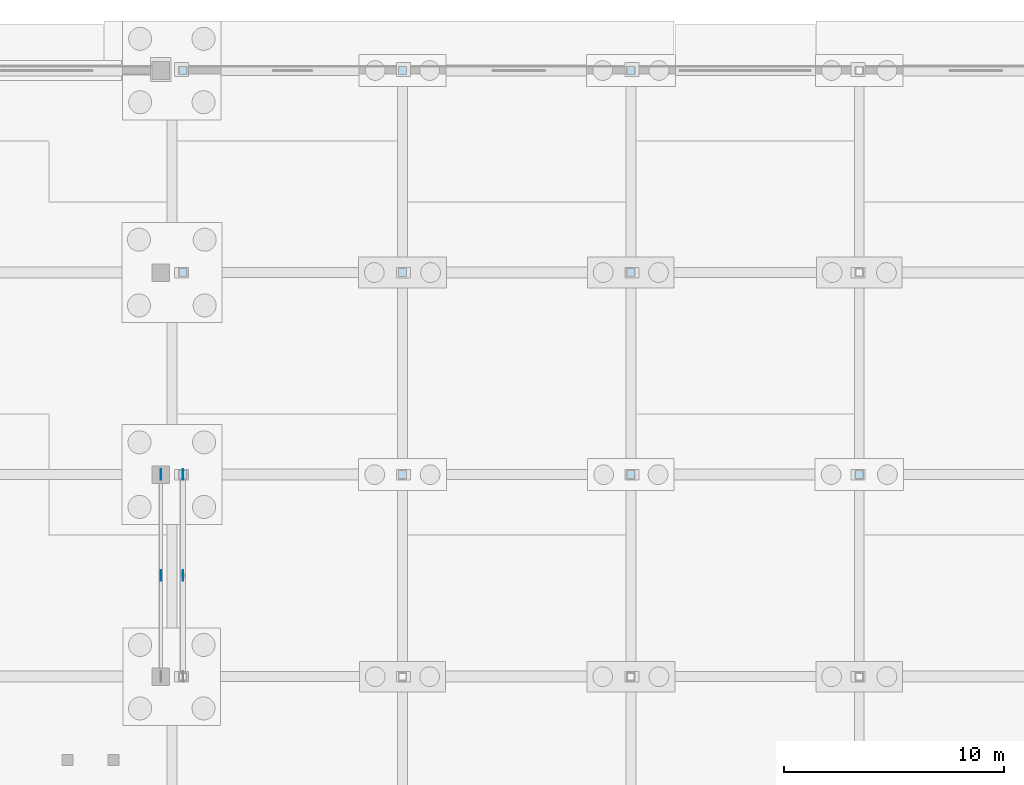
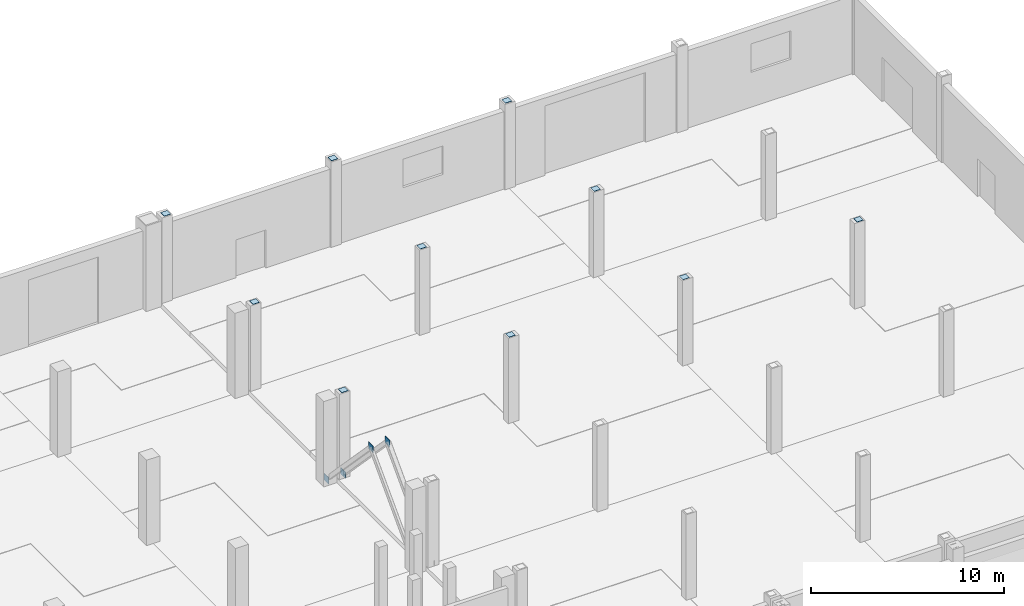
# One storey, part 49 of 83: 14 plates.
"""IFC4 building model written with IfcOpenShell, lengths in metres."""

from ifc_helpers import new_model, si_unit, direction, frame, origin, origin_2d, place, context, subcontext, project, spatial, rectangle, extrude, material, layer, layer_set, type_object, element, save


model = new_model("IFC4")

# Units and contexts
model_context = context("Model", 3, precision=1e-05, world=origin(), true_north=direction((0.0, 1.0)))
body_context = subcontext(model_context, "Body", "Model", "MODEL_VIEW")
ifc_project = project(units=[si_unit("LENGTHUNIT", "METRE"), si_unit("AREAUNIT", "SQUARE_METRE"), si_unit("VOLUMEUNIT", "CUBIC_METRE"), si_unit("PLANEANGLEUNIT", "RADIAN"), si_unit("MASSUNIT", "GRAM", prefix="KILO")], contexts=[model_context])

# Site, building, storey
site_placement = place(None, origin())
site = spatial("IfcSite", under=ifc_project, at=site_placement, CompositionType="ELEMENT")
building_placement = place(site_placement, origin())
building = spatial("IfcBuilding", under=site, at=building_placement, Name="Caurita Quay Ferry Terminal", CompositionType="ELEMENT")
storey_placement = place(building_placement, origin())
storey = spatial("IfcBuildingStorey", under=building, at=storey_placement, Name="L00", CompositionType="ELEMENT", Elevation=0.0)

# Plates
ifc_material = material(Name="Structural plate steel ASTM A572 Gr. 50", Category="steel")
ifc_layer_1 = layer(ifc_material, 0.01806640625, Name="Structural steel connection plate 18 mm")
ifc_layer_set_1 = layer_set([ifc_layer_1], Name="Structural plate steel ASTM A572 Gr. 50")
plate_type_1 = type_object("IfcPlateType", Name="PLT-STL-18", PredefinedType="USERDEFINED", material=ifc_layer_set_1)
for number, where, z_axis, x_axis, name in (
    (1, (132.800048828125, 98.60009765625, 5.39892578125), (0.0, 0.0, 1.0), (1.0, 0.0, 0.0), "L00 Hollow Column End-Cap Plate V4-15-P"),
    (2, (132.800048828125, 107.800048828125, 5.39892578125), (0.0, 0.0, 1.0), (1.0, 0.0, 0.0), "L00 Hollow Column End-Cap Plate V4-15-Q"),
    (3, (132.800048828125, 117.0, 5.39892578125), (0.0, 0.0, 1.0), (1.0, 0.0, 0.0), "L00 Hollow Column End-Cap Plate V4-15-R"),
    (4, (142.800048828125, 98.60009765625, 5.39892578125), (0.0, 0.0, 1.0), (1.0, 0.0, 0.0), "L00 Hollow Column End-Cap Plate V4-16-P"),
    (5, (142.800048828125, 107.800048828125, 5.39892578125), (0.0, 0.0, 1.0), (1.0, 0.0, 0.0), "L00 Hollow Column End-Cap Plate V4-16-Q"),
    (6, (142.800048828125, 117.0, 5.39892578125), (0.0, 0.0, 1.0), (1.0, 0.0, 0.0), "L00 Hollow Column End-Cap Plate V4-16-R"),
    (7, (153.199951171875, 98.60009765625, 5.39892578125), (0.0, 0.0, 1.0), (1.0, 0.0, 0.0), "L00 Hollow Column End-Cap Plate V4-17-P"),
    (8, (153.199951171875, 107.800048828125, 5.39892578125), (0.0, 0.0, 1.0), (1.0, 0.0, 0.0), "L00 Hollow Column End-Cap Plate V4-17-Q"),
    (9, (153.199951171875, 117.0, 5.39892578125), (0.0, 0.0, 1.0), (1.0, 0.0, 0.0), "L00 Hollow Column End-Cap Plate V4-17-R"),
    (10, (163.60009765625, 98.60009765625, 5.39892578125), (0.0, 0.0, 1.0), (1.0, 0.0, 0.0), "L00 Hollow Column End-Cap Plate V4-18-P"),
):
    element("IfcPlate", number, at=place(storey_placement, frame(where, z_axis=z_axis, x_axis=x_axis)), inside=storey, type_object=plate_type_1, Name=name, ObjectType="GUSSET PLATE", PredefinedType="USERDEFINED", context=body_context, shape_type="SweptSolid", body=[
        extrude(rectangle(XDim=0.3798828125, YDim=0.3798828125, at=origin_2d()), origin(), (0.0, 0.0, 1.0), 0.01806640625),
    ])
for number, where, z_axis, x_axis, name in (
    (11, (131.800048828125, 98.60009765625, -0.06005859375), (0.0, 0.0, 1.0), (0.0, 1.0, 0.0), "L00 Seismic Brace Gusset 09-BSR"),
    (12, (132.800048828125, 98.60009765625, -0.06005859375), (0.0, 0.0, 1.0), (0.0, 1.0, 0.0), "L00 Seismic Brace Gusset 10-BSR"),
):
    element("IfcPlate", number, at=place(storey_placement, frame(where, z_axis=z_axis, x_axis=x_axis)), inside=storey, type_object=plate_type_1, Name=name, ObjectType="GUSSET PLATE", PredefinedType="USERDEFINED", context=body_context, shape_type="SweptSolid", body=[
        extrude(rectangle(XDim=0.47998046875, YDim=0.02490234375, at=origin_2d()), origin(), (0.0, 0.0, 1.0), 0.419921875),
    ])
ifc_layer_2 = layer(ifc_material, 0.02490234375, Name="Structural steel connection plate 25 mm")
ifc_layer_set_2 = layer_set([ifc_layer_2], Name="Structural plate steel ASTM A572 Gr. 50")
plate_type_2 = type_object("IfcPlateType", Name="PLT-STL-25", PredefinedType="USERDEFINED", material=ifc_layer_set_2)
for number, where, z_axis, x_axis, name in (
    (13, (131.800048828125, 94.0, 4.719970703125), (0.0, 0.0, 1.0), (0.0, 1.0, 0.0), "L00 Seismic Brace Gusset 09-APX"),
    (14, (132.800048828125, 94.0, 4.719970703125), (0.0, 0.0, 1.0), (0.0, 1.0, 0.0), "L00 Seismic Brace Gusset 10-APX"),
):
    element("IfcPlate", number, at=place(storey_placement, frame(where, z_axis=z_axis, x_axis=x_axis)), inside=storey, type_object=plate_type_2, Name=name, ObjectType="GUSSET PLATE", PredefinedType="USERDEFINED", context=body_context, shape_type="SweptSolid", body=[
        extrude(rectangle(XDim=0.47998046875, YDim=0.02490234375, at=origin_2d()), origin(), (0.0, 0.0, 1.0), 0.419921875),
    ])

save(model, "model.ifc")
